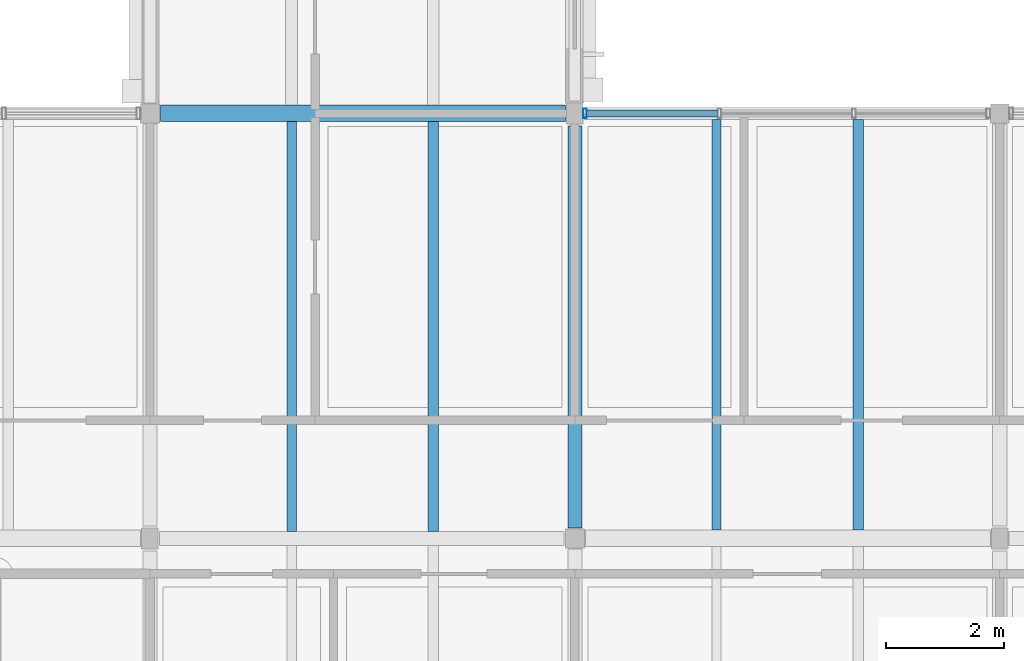
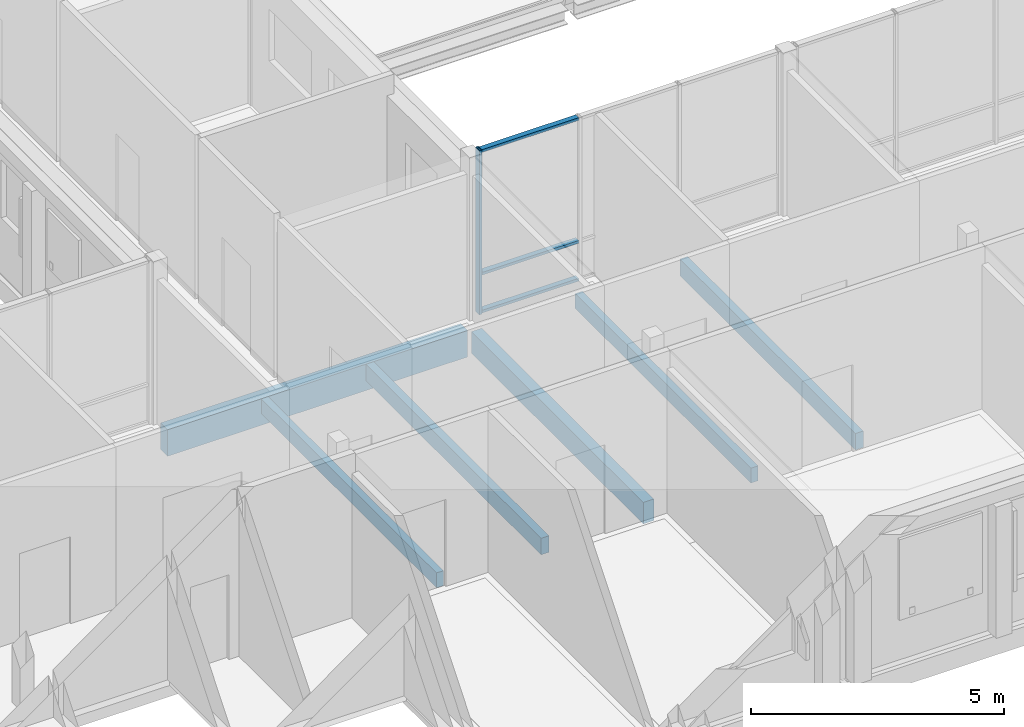
# One storey, part 7 of 115: 6 beams, 4 members, 1 element without a shape of its own.
"""IFC4 building model written with IfcOpenShell, lengths in metres."""

from ifc_helpers import new_model, si_unit, direction, frame, origin, origin_2d, place, context, subcontext, project, spatial, rectangle, hollow_rectangle, extrude, material, material_profile, profile_set, type_object, element, aggregate, save


model = new_model("IFC4")

# Units and contexts
model_context = context("Model", 3, precision=1e-05, world=origin(), true_north=direction((0.0, 1.0)))
body_context = subcontext(model_context, "Body", "Model", "MODEL_VIEW")
ifc_project = project(units=[si_unit("LENGTHUNIT", "METRE"), si_unit("AREAUNIT", "SQUARE_METRE"), si_unit("VOLUMEUNIT", "CUBIC_METRE"), si_unit("PLANEANGLEUNIT", "RADIAN"), si_unit("MASSUNIT", "GRAM", prefix="KILO")], contexts=[model_context])

# Site, building, storey
site_placement = place(None, origin())
site = spatial("IfcSite", under=ifc_project, at=site_placement, CompositionType="ELEMENT")
building_placement = place(site_placement, origin())
building = spatial("IfcBuilding", under=site, at=building_placement, Name="Hawrajan Terrace Health Centre", CompositionType="ELEMENT")
storey_placement = place(building_placement, frame((0.0, 0.0, 9.0)))
storey = spatial("IfcBuildingStorey", under=building, at=storey_placement, Name="L02", CompositionType="ELEMENT", Elevation=9.0)

# Curtain wall, members
ifc_material_1 = material(Name="Anodized bronze aluminium and low-E solar glazing", Category="aluminium")
curtain_wall_type = type_object("IfcCurtainWallType", Name="CW_Diagnostic_SeriesM2", PredefinedType="USERDEFINED", material=ifc_material_1)
curtain_wall_placement = place(storey_placement, origin())
curtain_wall = element("IfcCurtainWall", 1, at=curtain_wall_placement, inside=storey, type_object=curtain_wall_type, Name="Curtain wall CW-L02-120", ObjectType="UNITISED CURTAIN WALL", PredefinedType="USERDEFINED")
ifc_material_2 = material(Name="Anodized bronze aluminium 6063-T6", Category="aluminium")
ifc_material_profile_1 = material_profile(ifc_material_2, hollow_rectangle(XDim=0.06494140625, YDim=0.159912109375, WallThickness=0.00390625, at=origin_2d()), Name="CW MUL 65x160")
ifc_profile_set_1 = profile_set([ifc_material_profile_1], Name="Anodized bronze aluminium 6063-T6")
member_type_1 = type_object("IfcMemberType", Name="CWMullion_65x160", PredefinedType="MULLION", material=ifc_profile_set_1)
member_1_placement = place(storey_placement, frame((26.37255859375, 18.60009765625, -0.0048828125), z_axis=(0.0, 0.0, 1.0), x_axis=(1.0, 0.0, 0.0)))
member_1 = element("IfcMember", 2, at=member_1_placement, type_object=member_type_1, Name="Mullion CW-L02-120-M1", PredefinedType="MULLION", context=body_context, shape_type="SweptSolid", body=[
    extrude(hollow_rectangle(XDim=0.06494140625, YDim=0.159912109375, WallThickness=0.00390625, at=origin_2d()), origin(), (0.0, 0.0, 1.0), 3.9599609375),
])
ifc_material_profile_2 = material_profile(ifc_material_2, hollow_rectangle(XDim=0.06494140625, YDim=0.1201171875, WallThickness=0.00341796875, at=origin_2d()), Name="CW TRN 65x120")
ifc_profile_set_2 = profile_set([ifc_material_profile_2], Name="Anodized bronze aluminium 6063-T6")
member_type_2 = type_object("IfcMemberType", Name="CWTransom_65x120", PredefinedType="USERDEFINED", material=ifc_profile_set_2)
member_2_placement = place(storey_placement, frame((26.39892578125, 18.60009765625, 0.032470703125), z_axis=(1.0, 0.0, 0.0), x_axis=(0.0, 0.0, 1.0)))
member_2 = element("IfcMember", 3, at=member_2_placement, type_object=member_type_2, Name="Transom CW-L02-120-T1-1", ObjectType="TRANSOM", PredefinedType="USERDEFINED", context=body_context, shape_type="SweptSolid", body=[
    extrude(hollow_rectangle(XDim=0.06494140625, YDim=0.1201171875, WallThickness=0.00341796875, at=origin_2d()), origin(), (0.0, 0.0, 1.0), 2.225341796875),
])
member_3_placement = place(storey_placement, frame((26.39892578125, 18.60009765625, 0.949951171875), z_axis=(1.0, 0.0, 0.0), x_axis=(0.0, 0.0, 1.0)))
member_3 = element("IfcMember", 4, at=member_3_placement, type_object=member_type_2, Name="Transom CW-L02-120-T1-2", ObjectType="TRANSOM", PredefinedType="USERDEFINED", context=body_context, shape_type="SweptSolid", body=[
    extrude(hollow_rectangle(XDim=0.06494140625, YDim=0.1201171875, WallThickness=0.00341796875, at=origin_2d()), origin(), (0.0, 0.0, 1.0), 2.225341796875),
])
member_4_placement = place(storey_placement, frame((26.39892578125, 18.60009765625, 3.91748046875), z_axis=(1.0, 0.0, 0.0), x_axis=(0.0, 0.0, 1.0)))
member_4 = element("IfcMember", 5, at=member_4_placement, type_object=member_type_2, Name="Transom CW-L02-120-T1-3", ObjectType="TRANSOM", PredefinedType="USERDEFINED", context=body_context, shape_type="SweptSolid", body=[
    extrude(hollow_rectangle(XDim=0.06494140625, YDim=0.1201171875, WallThickness=0.00341796875, at=origin_2d()), origin(), (0.0, 0.0, 1.0), 2.225341796875),
])
aggregate(curtain_wall, [member_1, member_2, member_3, member_4])

# Beams
ifc_material_3 = material(Name="Glulam GL32h", Category="wood")
ifc_material_profile_3 = material_profile(ifc_material_3, rectangle(XDim=0.239990234375, YDim=0.52001953125, at=origin_2d()), Name="GL BM 240x520")
ifc_profile_set_3 = profile_set([ifc_material_profile_3], Name="Glulam GL32h")
beam_type_1 = type_object("IfcBeamType", Name="GlulamGirder_240x520", PredefinedType="BEAM", material=ifc_profile_set_3)
beam_1_placement = place(storey_placement, frame((26.199951171875, 11.580078125, -0.5), z_axis=(0.0, 1.0, 0.0), x_axis=(-1.0, 0.0, 0.0)))
element("IfcBeam", 6, at=beam_1_placement, inside=storey, type_object=beam_type_1, Name="Beam BM-Y-L02-W-X04-2", PredefinedType="BEAM", context=body_context, shape_type="SweptSolid", body=[
    extrude(rectangle(XDim=0.239990234375, YDim=0.52001953125, at=origin_2d()), origin(), (0.0, 0.0, 1.0), 6.809814453125),
])
ifc_material_profile_4 = material_profile(ifc_material_3, rectangle(XDim=0.280029296875, YDim=0.639892578125, at=origin_2d()), Name="GL BM 280x640")
ifc_profile_set_4 = profile_set([ifc_material_profile_4], Name="Glulam GL32h")
beam_type_2 = type_object("IfcBeamType", Name="GlulamGirder_280x640", PredefinedType="BEAM", material=ifc_profile_set_4)
beam_2_placement = place(storey_placement, frame((19.179931640625, 18.60009765625, -0.56005859375), z_axis=(1.0, 0.0, 0.0), x_axis=(0.0, 1.0, 0.0)))
element("IfcBeam", 7, at=beam_2_placement, inside=storey, type_object=beam_type_2, Name="Beam BM-X-L02-W-03-Y3", PredefinedType="BEAM", context=body_context, shape_type="SweptSolid", body=[
    extrude(rectangle(XDim=0.280029296875, YDim=0.639892578125, at=origin_2d()), origin(), (0.0, 0.0, 1.0), 6.860107421875),
])
ifc_material_4 = material(Name="Glulam GL28h", Category="wood")
ifc_material_profile_5 = material_profile(ifc_material_4, rectangle(XDim=0.159912109375, YDim=0.360107421875, at=origin_2d()), Name="GL JST 160x360")
ifc_profile_set_5 = profile_set([ifc_material_profile_5], Name="Glulam GL28h")
beam_type_3 = type_object("IfcBeamType", Name="GlulamJoist_160x360", PredefinedType="JOIST", material=ifc_profile_set_5)
beam_3_placement = place(storey_placement, frame((21.39990234375, 11.52001953125, -0.419921875), z_axis=(0.0, 1.0, 0.0), x_axis=(-1.0, 0.0, 0.0)))
element("IfcBeam", 8, at=beam_3_placement, inside=storey, type_object=beam_type_3, Name="Secondary joist JST-L02-W-03-2-1", PredefinedType="JOIST", context=body_context, shape_type="SweptSolid", body=[
    extrude(rectangle(XDim=0.159912109375, YDim=0.360107421875, at=origin_2d()), origin(), (0.0, 0.0, 1.0), 6.93994140625),
])
beam_4_placement = place(storey_placement, frame((28.60009765625, 11.5400390625, -0.419921875), z_axis=(0.0, 1.0, 0.0), x_axis=(-1.0, 0.0, 0.0)))
element("IfcBeam", 9, at=beam_4_placement, inside=storey, type_object=beam_type_3, Name="Secondary joist JST-L02-W-04-2-1", PredefinedType="JOIST", context=body_context, shape_type="SweptSolid", body=[
    extrude(rectangle(XDim=0.159912109375, YDim=0.360107421875, at=origin_2d()), origin(), (0.0, 0.0, 1.0), 6.9599609375),
])
ifc_material_profile_6 = material_profile(ifc_material_4, rectangle(XDim=0.179931640625, YDim=0.39990234375, at=origin_2d()), Name="GL JST 180x400")
ifc_profile_set_6 = profile_set([ifc_material_profile_6], Name="Glulam GL28h")
beam_type_4 = type_object("IfcBeamType", Name="GlulamJoist_180x400", PredefinedType="JOIST", material=ifc_profile_set_6)
beam_5_placement = place(storey_placement, frame((23.800048828125, 11.52001953125, -0.43994140625), z_axis=(0.0, 1.0, 0.0), x_axis=(-1.0, 0.0, 0.0)))
element("IfcBeam", 10, at=beam_5_placement, inside=storey, type_object=beam_type_4, Name="Secondary joist JST-L02-W-03-2-2", PredefinedType="JOIST", context=body_context, shape_type="SweptSolid", body=[
    extrude(rectangle(XDim=0.179931640625, YDim=0.39990234375, at=origin_2d()), origin(), (0.0, 0.0, 1.0), 6.93994140625),
])
beam_6_placement = place(storey_placement, frame((31.0, 11.5400390625, -0.43994140625), z_axis=(0.0, 1.0, 0.0), x_axis=(-1.0, 0.0, 0.0)))
element("IfcBeam", 11, at=beam_6_placement, inside=storey, type_object=beam_type_4, Name="Secondary joist JST-L02-W-04-2-2", PredefinedType="JOIST", context=body_context, shape_type="SweptSolid", body=[
    extrude(rectangle(XDim=0.179931640625, YDim=0.39990234375, at=origin_2d()), origin(), (0.0, 0.0, 1.0), 6.9599609375),
])

save(model, "model.ifc")
